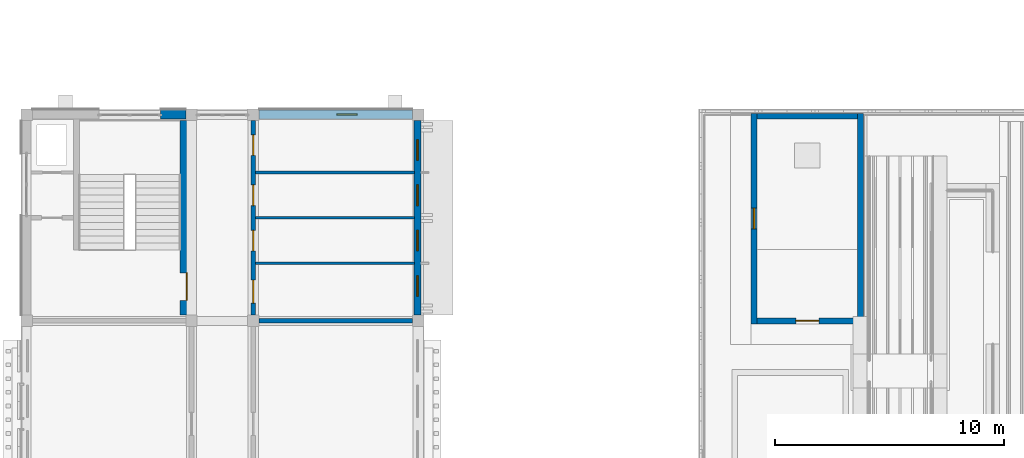
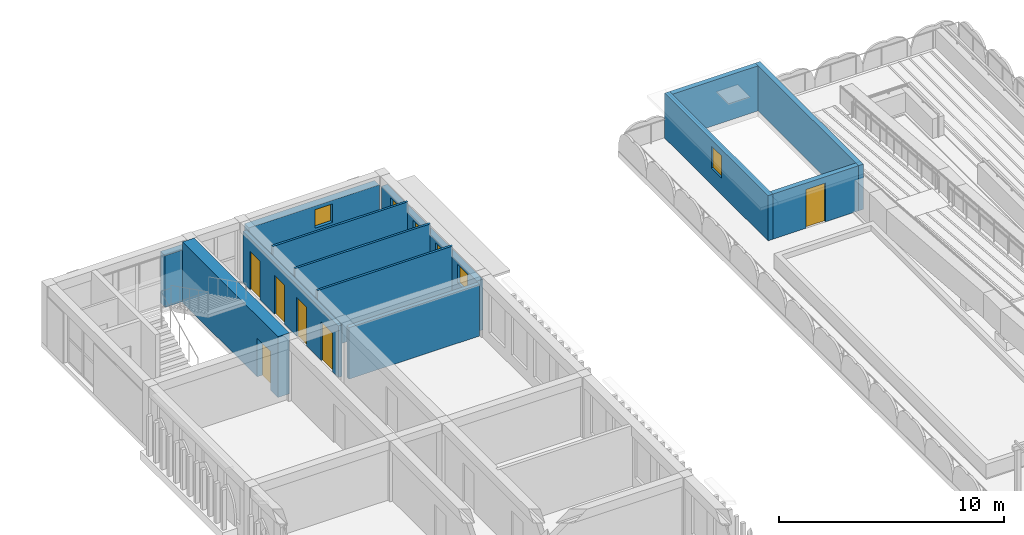
# One storey, part 45 of 70: 13 walls, 6 doors, 6 windows, 12 openings.
"""IFC4 building model written with IfcOpenShell, lengths in metres."""

from ifc_helpers import new_model, si_unit, direction, frame, frame_2d, origin, place, context, subcontext, project, spatial, rectangle, extrude, material, layer, layer_set, type_object, element, fill, save


model = new_model("IFC4")

# Units and contexts
model_context = context("Model", 3, precision=1e-05, world=origin(), true_north=direction((0.0, 1.0)))
body_context = subcontext(model_context, "Body", "Model", "MODEL_VIEW")
ifc_project = project(units=[si_unit("LENGTHUNIT", "METRE"), si_unit("AREAUNIT", "SQUARE_METRE"), si_unit("VOLUMEUNIT", "CUBIC_METRE"), si_unit("PLANEANGLEUNIT", "RADIAN"), si_unit("MASSUNIT", "GRAM", prefix="KILO")], contexts=[model_context])

# Site, building, storey
site_placement = place(None, origin())
site = spatial("IfcSite", under=ifc_project, at=site_placement, CompositionType="ELEMENT")
building_placement = place(site_placement, origin())
building = spatial("IfcBuilding", under=site, at=building_placement, Name="Elbe Cascade School", CompositionType="ELEMENT")
storey_placement = place(building_placement, frame((0.0, 0.0, 8.10009765625)))
storey = spatial("IfcBuildingStorey", under=building, at=storey_placement, Name="L02", CompositionType="ELEMENT", Elevation=8.10009765625)

# Wall, openings, doors
ifc_material_1 = material(Name="Masonry - lime-sand block, plastered", Category="masonry")
ifc_layer_1 = layer(ifc_material_1, 0.199951171875)
ifc_layer_set_1 = layer_set([ifc_layer_1], Name="Masonry - lime-sand block, plastered")
wall_type_1 = type_object("IfcWallType", Name="Bar corridor wall lime-sand block 200 EI 30", PredefinedType="PARTITIONING", material=ifc_layer_set_1)
wall_1_placement = place(storey_placement, frame((138.10009765625, 59.75, 0.0), z_axis=(0.0, 0.0, 1.0), x_axis=(0.0, -1.0, 0.0)))
wall_1 = element("IfcWall", 1, at=wall_1_placement, inside=storey, type_object=wall_type_1, Name="Bar corridor wall lime-sand block 200 EI 30", PredefinedType="PARTITIONING", context=body_context, shape_type="SweptSolid", body=[
    extrude(rectangle(XDim=8.5, YDim=0.199951171875, at=frame_2d((4.25, 0.0))), origin(), (0.0, 0.0, 1.0), 2.7998046875),
])
opening_1_placement = place(wall_1_placement, frame((6.96875, 0.0, 0.0)))
opening_1 = element("IfcOpeningElement", 2, at=opening_1_placement, cuts=wall_1, Name="Opening D2.073", PredefinedType="OPENING", context=body_context, shape_type="SweptSolid", body=[
    extrude(rectangle(XDim=1.0, YDim=2.10009765625, at=frame_2d((0.5, 1.050048828125))), frame((0.0, 0.10986328125, 0.0), z_axis=(0.0, -1.0, 0.0), x_axis=(1.0, 0.0, 0.0)), (0.0, 0.0, 1.0), 0.219970703125),
])
opening_2_placement = place(wall_1_placement, frame((4.7900390625, 0.0, 0.0)))
opening_2 = element("IfcOpeningElement", 3, at=opening_2_placement, cuts=wall_1, Name="Opening D2.075", PredefinedType="OPENING", context=body_context, shape_type="SweptSolid", body=[
    extrude(rectangle(XDim=0.89990234375, YDim=2.10009765625, at=frame_2d((0.449951171875, 1.050048828125))), frame((0.0, 0.10986328125, 0.0), z_axis=(0.0, -1.0, 0.0), x_axis=(1.0, 0.0, 0.0)), (0.0, 0.0, 1.0), 0.219970703125),
])
opening_3_placement = place(wall_1_placement, frame((2.81005859375, 0.0, 0.0)))
opening_3 = element("IfcOpeningElement", 4, at=opening_3_placement, cuts=wall_1, Name="Opening D2.077", PredefinedType="OPENING", context=body_context, shape_type="SweptSolid", body=[
    extrude(rectangle(XDim=0.89990234375, YDim=2.10009765625, at=frame_2d((0.449951171875, 1.050048828125))), frame((0.0, 0.10986328125, 0.0), z_axis=(0.0, -1.0, 0.0), x_axis=(1.0, 0.0, 0.0)), (0.0, 0.0, 1.0), 0.219970703125),
])
opening_4_placement = place(wall_1_placement, frame((0.62109375, 0.0, 0.0)))
opening_4 = element("IfcOpeningElement", 5, at=opening_4_placement, cuts=wall_1, Name="Opening D2.079", PredefinedType="OPENING", context=body_context, shape_type="SweptSolid", body=[
    extrude(rectangle(XDim=0.89990234375, YDim=2.10009765625, at=frame_2d((0.449951171875, 1.050048828125))), frame((0.0, 0.10986328125, 0.0), z_axis=(0.0, -1.0, 0.0), x_axis=(1.0, 0.0, 0.0)), (0.0, 0.0, 1.0), 0.219970703125),
])
ifc_material_2 = material(Name="Timber door leaf, fire-resisting, steel frame", Category="steel")
door_type_1 = type_object("IfcDoorType", Name="Bar door FD30 1000x2100", OperationType="NOTDEFINED", PredefinedType="DOOR", material=ifc_material_2)
door_1_placement = place(opening_1_placement, origin())
door_1 = element("IfcDoor", 6, at=door_1_placement, inside=storey, type_object=door_type_1, Name="Door C2.18", OperationType="SINGLE_SWING_LEFT", OverallHeight=2.10009765625, OverallWidth=1.0, PredefinedType="DOOR", context=body_context, shape_type="SweptSolid", body=[
    extrude(rectangle(XDim=1.0, YDim=2.10009765625, at=frame_2d((0.5, 1.050048828125))), frame((0.0, 0.02490234375, 0.0), z_axis=(0.0, -1.0, 0.0), x_axis=(1.0, 0.0, 0.0)), (0.0, 0.0, 1.0), 0.050048828125),
])
fill(opening_1, door_1)
ifc_material_3 = material(Name="Timber door leaf, fire-resisting, steel frame", Category="steel")
door_type_2 = type_object("IfcDoorType", Name="Bar door FD30 900x2100", OperationType="NOTDEFINED", PredefinedType="DOOR", material=ifc_material_3)
door_2_placement = place(opening_2_placement, origin())
door_2 = element("IfcDoor", 7, at=door_2_placement, inside=storey, type_object=door_type_2, Name="Door C2.17", OperationType="SINGLE_SWING_RIGHT", OverallHeight=2.10009765625, OverallWidth=0.89990234375, PredefinedType="DOOR", context=body_context, shape_type="SweptSolid", body=[
    extrude(rectangle(XDim=0.89990234375, YDim=2.10009765625, at=frame_2d((0.449951171875, 1.050048828125))), frame((0.0, 0.02490234375, 0.0), z_axis=(0.0, -1.0, 0.0), x_axis=(1.0, 0.0, 0.0)), (0.0, 0.0, 1.0), 0.050048828125),
])
fill(opening_2, door_2)
door_3_placement = place(opening_3_placement, origin())
door_3 = element("IfcDoor", 8, at=door_3_placement, inside=storey, type_object=door_type_2, Name="Door C2.16", OperationType="SINGLE_SWING_LEFT", OverallHeight=2.10009765625, OverallWidth=0.89990234375, PredefinedType="DOOR", context=body_context, shape_type="SweptSolid", body=[
    extrude(rectangle(XDim=0.89990234375, YDim=2.10009765625, at=frame_2d((0.449951171875, 1.050048828125))), frame((0.0, 0.02490234375, 0.0), z_axis=(0.0, -1.0, 0.0), x_axis=(1.0, 0.0, 0.0)), (0.0, 0.0, 1.0), 0.050048828125),
])
fill(opening_3, door_3)
door_4_placement = place(opening_4_placement, origin())
door_4 = element("IfcDoor", 9, at=door_4_placement, inside=storey, type_object=door_type_2, Name="Door C2.15", OperationType="SINGLE_SWING_RIGHT", OverallHeight=2.10009765625, OverallWidth=0.89990234375, PredefinedType="DOOR", context=body_context, shape_type="SweptSolid", body=[
    extrude(rectangle(XDim=0.89990234375, YDim=2.10009765625, at=frame_2d((0.449951171875, 1.050048828125))), frame((0.0, 0.02490234375, 0.0), z_axis=(0.0, -1.0, 0.0), x_axis=(1.0, 0.0, 0.0)), (0.0, 0.0, 1.0), 0.050048828125),
])
fill(opening_4, door_4)

# Walls
ifc_material_4 = material(Name="Masonry - lime-sand block, plastered", Category="masonry")
ifc_layer_2 = layer(ifc_material_4, 0.114990234375)
ifc_layer_set_2 = layer_set([ifc_layer_2], Name="Masonry - lime-sand block, plastered")
wall_type_2 = type_object("IfcWallType", Name="Bar light partition wall lime-sand block 115", PredefinedType="PARTITIONING", material=ifc_layer_set_2)
for number, where, z_axis, x_axis, name in (
    (10, (138.199951171875, 57.47998046875, 0.0), (0.0, 0.0, 1.0), (1.0, 0.0, 0.0), "Bar light partition wall lime-sand block 115"),
    (11, (138.199951171875, 55.5, 0.0), (0.0, 0.0, 1.0), (1.0, 0.0, 0.0), "Bar light partition wall lime-sand block 115"),
    (12, (138.199951171875, 53.52001953125, 0.0), (0.0, 0.0, 1.0), (1.0, 0.0, 0.0), "Bar light partition wall lime-sand block 115"),
):
    element("IfcWall", number, at=place(storey_placement, frame(where, z_axis=z_axis, x_axis=x_axis)), inside=storey, type_object=wall_type_2, Name=name, PredefinedType="PARTITIONING", context=body_context, shape_type="SweptSolid", body=[
        extrude(rectangle(XDim=6.949951171875, YDim=0.114990234375, at=frame_2d((3.47509765625, 0.0))), origin(), (0.0, 0.0, 1.0), 3.2998046875),
    ])
ifc_material_5 = material(Name="Masonry - lime-sand block, plastered", Category="masonry")
ifc_layer_3 = layer(ifc_material_5, 0.199951171875)
ifc_layer_set_3 = layer_set([ifc_layer_3], Name="Masonry - lime-sand block, plastered")
wall_type_3 = type_object("IfcWallType", Name="Bar partition wall lime-sand block 200", PredefinedType="PARTITIONING", material=ifc_layer_set_3)
wall_2_placement = place(storey_placement, frame((138.35009765625, 51.0, 0.0), z_axis=(0.0, 0.0, 1.0), x_axis=(1.0, 0.0, 0.0)))
element("IfcWall", 13, at=wall_2_placement, inside=storey, type_object=wall_type_3, Name="Bar partition wall lime-sand block 200", PredefinedType="PARTITIONING", context=body_context, shape_type="SweptSolid", body=[
    extrude(rectangle(XDim=6.699951171875, YDim=0.199951171875, at=frame_2d((3.35009765625, 0.0))), origin(), (0.0, 0.0, 1.0), 2.7998046875),
])

# Wall, opening, door
ifc_material_6 = material(Name="Concrete C30/37", Category="concrete")
ifc_layer_4 = layer(ifc_material_6, 0.60009765625)
ifc_layer_set_4 = layer_set([ifc_layer_4], Name="Concrete C30/37")
wall_type_4 = type_object("IfcWallType", Name="Bar stair core wall RC 600", PredefinedType="SOLIDWALL", material=ifc_layer_set_4)
wall_3_placement = place(storey_placement, frame((135.199951171875, 51.25, 0.0), z_axis=(0.0, 0.0, 1.0), x_axis=(0.0, 1.0, 0.0)))
wall_3 = element("IfcWall", 14, at=wall_3_placement, inside=storey, type_object=wall_type_4, Name="Bar stair core wall RC 600", PredefinedType="SOLIDWALL", context=body_context, shape_type="SweptSolid", body=[
    extrude(rectangle(XDim=8.5, YDim=0.60009765625, at=frame_2d((4.25, 0.0))), origin(), (0.0, 0.0, 1.0), 3.2998046875),
])
opening_5_placement = place(wall_3_placement, frame((0.64990234375, 0.0, 0.0)))
opening_5 = element("IfcOpeningElement", 15, at=opening_5_placement, cuts=wall_3, Name="Opening D2.074", PredefinedType="OPENING", context=body_context, shape_type="SweptSolid", body=[
    extrude(rectangle(XDim=1.199951171875, YDim=2.10009765625, at=frame_2d((0.60009765625, 1.050048828125))), frame((0.0, 0.31005859375, 0.0), z_axis=(0.0, -1.0, 0.0), x_axis=(1.0, 0.0, 0.0)), (0.0, 0.0, 1.0), 0.6201171875),
])
ifc_material_7 = material(Name="Timber door leaf, fire-resisting and smoke-tight, steel frame", Category="steel")
door_type_3 = type_object("IfcDoorType", Name="Bar door FD30S 1200x2100", OperationType="NOTDEFINED", PredefinedType="DOOR", material=ifc_material_7)
door_5_placement = place(opening_5_placement, origin())
door_5 = element("IfcDoor", 16, at=door_5_placement, inside=storey, type_object=door_type_3, Name="Door C2.12", OperationType="SINGLE_SWING_RIGHT", OverallHeight=2.10009765625, OverallWidth=1.199951171875, PredefinedType="DOOR", context=body_context, shape_type="SweptSolid", body=[
    extrude(rectangle(XDim=1.199951171875, YDim=2.10009765625, at=frame_2d((0.60009765625, 1.050048828125))), frame((0.0, 0.02490234375, 0.0), z_axis=(0.0, -1.0, 0.0), x_axis=(1.0, 0.0, 0.0)), (0.0, 0.0, 1.0), 0.050048828125),
])
fill(opening_5, door_5)

# Wall, openings, windows
ifc_material_8 = material(Name="Brick masonry - red clinker, cavity wall with render backing", Category="masonry")
ifc_layer_5 = layer(ifc_material_8, 0.300048828125)
ifc_layer_set_5 = layer_set([ifc_layer_5], Name="Brick masonry - red clinker, cavity wall with render backing")
wall_type_5 = type_object("IfcWallType", Name="Bars envelope External wall - clinker brick cavity, 300 upper floors", PredefinedType="STANDARD", material=ifc_layer_set_5)
wall_4_placement = place(storey_placement, frame((145.27001953125, 59.75, 0.0), z_axis=(0.0, 0.0, 1.0), x_axis=(0.0, -1.0, 0.0)))
wall_4 = element("IfcWall", 17, at=wall_4_placement, inside=storey, type_object=wall_type_5, Name="External wall W30 C.L02.e6", PredefinedType="STANDARD", context=body_context, shape_type="SweptSolid", body=[
    extrude(rectangle(XDim=8.5, YDim=0.300048828125, at=frame_2d((4.25, 0.0))), origin(), (0.0, 0.0, 1.0), 2.75),
])
opening_6_placement = place(wall_4_placement, frame((6.77001953125, 0.0, 1.60009765625)))
opening_6 = element("IfcOpeningElement", 18, at=opening_6_placement, cuts=wall_4, Name="Opening W2.114", PredefinedType="OPENING", context=body_context, shape_type="SweptSolid", body=[
    extrude(rectangle(XDim=0.89990234375, YDim=1.0, at=frame_2d((0.449951171875, 0.5))), frame((0.0, 0.159912109375, 0.0), z_axis=(0.0, -1.0, 0.0), x_axis=(1.0, 0.0, 0.0)), (0.0, 0.0, 1.0), 0.320068359375),
])
opening_7_placement = place(wall_4_placement, frame((4.7900390625, 0.0, 1.60009765625)))
opening_7 = element("IfcOpeningElement", 19, at=opening_7_placement, cuts=wall_4, Name="Opening W2.115", PredefinedType="OPENING", context=body_context, shape_type="SweptSolid", body=[
    extrude(rectangle(XDim=0.89990234375, YDim=1.0, at=frame_2d((0.449951171875, 0.5))), frame((0.0, 0.159912109375, 0.0), z_axis=(0.0, -1.0, 0.0), x_axis=(1.0, 0.0, 0.0)), (0.0, 0.0, 1.0), 0.320068359375),
])
opening_8_placement = place(wall_4_placement, frame((2.81005859375, 0.0, 1.60009765625)))
opening_8 = element("IfcOpeningElement", 20, at=opening_8_placement, cuts=wall_4, Name="Opening W2.116", PredefinedType="OPENING", context=body_context, shape_type="SweptSolid", body=[
    extrude(rectangle(XDim=0.89990234375, YDim=1.0, at=frame_2d((0.449951171875, 0.5))), frame((0.0, 0.159912109375, 0.0), z_axis=(0.0, -1.0, 0.0), x_axis=(1.0, 0.0, 0.0)), (0.0, 0.0, 1.0), 0.320068359375),
])
opening_9_placement = place(wall_4_placement, frame((0.830078125, 0.0, 1.60009765625)))
opening_9 = element("IfcOpeningElement", 21, at=opening_9_placement, cuts=wall_4, Name="Opening W2.117", PredefinedType="OPENING", context=body_context, shape_type="SweptSolid", body=[
    extrude(rectangle(XDim=0.89990234375, YDim=1.0, at=frame_2d((0.449951171875, 0.5))), frame((0.0, 0.159912109375, 0.0), z_axis=(0.0, -1.0, 0.0), x_axis=(1.0, 0.0, 0.0)), (0.0, 0.0, 1.0), 0.320068359375),
])
ifc_material_9 = material(Name="Aluminium frame with double glazing, bronze anodised", Category="aluminium")
window_type_1 = type_object("IfcWindowType", Name="Bars envelope Window 900 x 1000, WC and service room, high level, aluminium double glazed", PartitioningType="SINGLE_PANEL", PredefinedType="WINDOW", material=ifc_material_9)
window_1_placement = place(opening_6_placement, origin())
window_1 = element("IfcWindow", 22, at=window_1_placement, inside=storey, type_object=window_type_1, Name="Window WN4 C.L02.e6.1", OverallHeight=1.0, OverallWidth=0.89990234375, PartitioningType="SINGLE_PANEL", PredefinedType="WINDOW", context=body_context, shape_type="SweptSolid", body=[
    extrude(rectangle(XDim=0.89990234375, YDim=1.0, at=frame_2d((0.449951171875, 0.5))), frame((0.0, 0.030029296875, 0.0), z_axis=(0.0, -1.0, 0.0), x_axis=(1.0, 0.0, 0.0)), (0.0, 0.0, 1.0), 0.06005859375),
])
fill(opening_6, window_1)
window_2_placement = place(opening_7_placement, origin())
window_2 = element("IfcWindow", 23, at=window_2_placement, inside=storey, type_object=window_type_1, Name="Window WN4 C.L02.e6.2", OverallHeight=1.0, OverallWidth=0.89990234375, PartitioningType="SINGLE_PANEL", PredefinedType="WINDOW", context=body_context, shape_type="SweptSolid", body=[
    extrude(rectangle(XDim=0.89990234375, YDim=1.0, at=frame_2d((0.449951171875, 0.5))), frame((0.0, 0.030029296875, 0.0), z_axis=(0.0, -1.0, 0.0), x_axis=(1.0, 0.0, 0.0)), (0.0, 0.0, 1.0), 0.06005859375),
])
fill(opening_7, window_2)
window_3_placement = place(opening_8_placement, origin())
window_3 = element("IfcWindow", 24, at=window_3_placement, inside=storey, type_object=window_type_1, Name="Window WN4 C.L02.e6.3", OverallHeight=1.0, OverallWidth=0.89990234375, PartitioningType="SINGLE_PANEL", PredefinedType="WINDOW", context=body_context, shape_type="SweptSolid", body=[
    extrude(rectangle(XDim=0.89990234375, YDim=1.0, at=frame_2d((0.449951171875, 0.5))), frame((0.0, 0.030029296875, 0.0), z_axis=(0.0, -1.0, 0.0), x_axis=(1.0, 0.0, 0.0)), (0.0, 0.0, 1.0), 0.06005859375),
])
fill(opening_8, window_3)
window_4_placement = place(opening_9_placement, origin())
window_4 = element("IfcWindow", 25, at=window_4_placement, inside=storey, type_object=window_type_1, Name="Window WN4 C.L02.e6.4", OverallHeight=1.0, OverallWidth=0.89990234375, PartitioningType="SINGLE_PANEL", PredefinedType="WINDOW", context=body_context, shape_type="SweptSolid", body=[
    extrude(rectangle(XDim=0.89990234375, YDim=1.0, at=frame_2d((0.449951171875, 0.5))), frame((0.0, 0.030029296875, 0.0), z_axis=(0.0, -1.0, 0.0), x_axis=(1.0, 0.0, 0.0)), (0.0, 0.0, 1.0), 0.06005859375),
])
fill(opening_9, window_4)

# Wall
ifc_material_10 = material(Name="Brick masonry - red clinker, solid, sandstone-faced", Category="masonry")
ifc_layer_6 = layer(ifc_material_10, 0.39990234375)
ifc_layer_set_6 = layer_set([ifc_layer_6], Name="Brick masonry - red clinker, solid, sandstone-faced")
wall_type_6 = type_object("IfcWallType", Name="Bars envelope External wall - solid masonry core strip, sandstone faced, 400", PredefinedType="STANDARD", material=ifc_layer_set_6)
wall_5_placement = place(storey_placement, frame((134.050048828125, 60.02001953125, 0.0), z_axis=(0.0, 0.0, 1.0), x_axis=(1.0, 0.0, 0.0)))
element("IfcWall", 26, at=wall_5_placement, inside=storey, type_object=wall_type_6, Name="External wall W31 C.L02.n1b", PredefinedType="STANDARD", context=body_context, shape_type="SweptSolid", body=[
    extrude(rectangle(XDim=1.099853515625, YDim=0.39990234375, at=frame_2d((0.5498046875, 0.0))), origin(), (0.0, 0.0, 1.0), 2.7998046875),
])

# Wall, opening, window
wall_6_placement = place(storey_placement, frame((138.35009765625, 60.02001953125, 0.0), z_axis=(0.0, 0.0, 1.0), x_axis=(1.0, 0.0, 0.0)))
wall_6 = element("IfcWall", 27, at=wall_6_placement, inside=storey, type_object=wall_type_6, Name="External wall W31 C.L02.n3", PredefinedType="STANDARD", context=body_context, shape_type="SweptSolid", body=[
    extrude(rectangle(XDim=6.699951171875, YDim=0.39990234375, at=frame_2d((3.35009765625, 0.0))), origin(), (0.0, 0.0, 1.0), 2.7998046875),
])
opening_10_placement = place(wall_6_placement, frame((3.39990234375, 0.0, 1.60009765625)))
opening_10 = element("IfcOpeningElement", 28, at=opening_10_placement, cuts=wall_6, Name="Opening W2.118", PredefinedType="OPENING", context=body_context, shape_type="SweptSolid", body=[
    extrude(rectangle(XDim=0.89990234375, YDim=1.0, at=frame_2d((0.449951171875, 0.5))), frame((0.0, 0.2099609375, 0.0), z_axis=(0.0, -1.0, 0.0), x_axis=(1.0, 0.0, 0.0)), (0.0, 0.0, 1.0), 0.419921875),
])
window_5_placement = place(opening_10_placement, origin())
window_5 = element("IfcWindow", 29, at=window_5_placement, inside=storey, type_object=window_type_1, Name="Window WN4 C.L02.n3.1", OverallHeight=1.0, OverallWidth=0.89990234375, PartitioningType="SINGLE_PANEL", PredefinedType="WINDOW", context=body_context, shape_type="SweptSolid", body=[
    extrude(rectangle(XDim=0.89990234375, YDim=1.0, at=frame_2d((0.449951171875, 0.5))), frame((0.0, 0.030029296875, 0.0), z_axis=(0.0, -1.0, 0.0), x_axis=(1.0, 0.0, 0.0)), (0.0, 0.0, 1.0), 0.06005859375),
])
fill(opening_10, window_5)

ifc_material_11 = material(Name="Concrete C30/37", Category="concrete")
ifc_layer_7 = layer(ifc_material_11, 0.25)
ifc_layer_set_7 = layer_set([ifc_layer_7], Name="Concrete C30/37")
wall_type_7 = type_object("IfcWallType", Name="Head-house wall 250", PredefinedType="SOLIDWALL", material=ifc_layer_set_7)
wall_7_placement = place(storey_placement, frame((159.97509765625, 50.875, 0.0), z_axis=(0.0, 0.0, 1.0), x_axis=(0.0, 1.0, 0.0)))
wall_7 = element("IfcWall", 30, at=wall_7_placement, inside=storey, type_object=wall_type_7, Name="Head-house wall 250 W2", PredefinedType="SOLIDWALL", context=body_context, shape_type="SweptSolid", body=[
    extrude(rectangle(XDim=9.195068359375, YDim=0.25, at=frame_2d((4.59765625, 0.0))), origin(), (0.0, 0.0, 1.0), 2.449951171875),
])
opening_11_placement = place(wall_7_placement, frame((4.1474609375, 0.0, 0.89990234375)))
opening_11 = element("IfcOpeningElement", 31, at=opening_11_placement, cuts=wall_7, Name="Opening W2.122", PredefinedType="OPENING", context=body_context, shape_type="SweptSolid", body=[
    extrude(rectangle(XDim=0.89990234375, YDim=1.199951171875, at=frame_2d((0.449951171875, 0.60009765625))), frame((0.0, 0.135009765625, 0.0), z_axis=(0.0, -1.0, 0.0), x_axis=(1.0, 0.0, 0.0)), (0.0, 0.0, 1.0), 0.27001953125),
])
ifc_material_12 = material(Name="Aluminium frame with double glazing, bronze anodised", Category="aluminium")
window_type_2 = type_object("IfcWindowType", Name="Bars envelope Head-house window 900 x 1200, stair daylight, aluminium double glazed", PartitioningType="SINGLE_PANEL", PredefinedType="WINDOW", material=ifc_material_12)
window_6_placement = place(opening_11_placement, origin())
window_6 = element("IfcWindow", 32, at=window_6_placement, inside=storey, type_object=window_type_2, Name="Window WN10 D.L02.head-house north", OverallHeight=1.199951171875, OverallWidth=0.89990234375, PartitioningType="SINGLE_PANEL", PredefinedType="WINDOW", context=body_context, shape_type="SweptSolid", body=[
    extrude(rectangle(XDim=0.89990234375, YDim=1.199951171875, at=frame_2d((0.449951171875, 0.60009765625))), frame((0.0, 0.030029296875, 0.0), z_axis=(0.0, -1.0, 0.0), x_axis=(1.0, 0.0, 0.0)), (0.0, 0.0, 1.0), 0.06005859375),
])
fill(opening_11, window_6)

# Wall
wall_8_placement = place(storey_placement, frame((164.625, 50.875, 0.0), z_axis=(0.0, 0.0, 1.0), x_axis=(0.0, 1.0, 0.0)))
element("IfcWall", 33, at=wall_8_placement, inside=storey, type_object=wall_type_7, Name="Head-house wall 250 W2", PredefinedType="SOLIDWALL", context=body_context, shape_type="SweptSolid", body=[
    extrude(rectangle(XDim=9.195068359375, YDim=0.25, at=frame_2d((4.59765625, 0.0))), origin(), (0.0, 0.0, 1.0), 2.449951171875),
])

# Wall, opening, door
wall_9_placement = place(storey_placement, frame((164.5, 51.0, 0.0), z_axis=(0.0, 0.0, 1.0), x_axis=(-1.0, 0.0, 0.0)))
wall_9 = element("IfcWall", 34, at=wall_9_placement, inside=storey, type_object=wall_type_7, Name="Head-house wall 250 W2", PredefinedType="SOLIDWALL", context=body_context, shape_type="SweptSolid", body=[
    extrude(rectangle(XDim=4.39990234375, YDim=0.25, at=frame_2d((2.199951171875, 0.0))), origin(), (0.0, 0.0, 1.0), 2.449951171875),
])
opening_12_placement = place(wall_9_placement, frame((1.699951171875, 0.0, 0.0)))
opening_12 = element("IfcOpeningElement", 35, at=opening_12_placement, cuts=wall_9, Name="Opening D2.083", PredefinedType="OPENING", context=body_context, shape_type="SweptSolid", body=[
    extrude(rectangle(XDim=1.0, YDim=2.10009765625, at=frame_2d((0.5, 1.050048828125))), frame((0.0, 0.135009765625, 0.0), z_axis=(0.0, -1.0, 0.0), x_axis=(1.0, 0.0, 0.0)), (0.0, 0.0, 1.0), 0.27001953125),
])
ifc_material_13 = material(Name="Head-house door 1000x2100")
door_type_4 = type_object("IfcDoorType", Name="Head-house door 1000x2100", OperationType="SINGLE_SWING_RIGHT", PredefinedType="DOOR", material=ifc_material_13)
door_6_placement = place(opening_12_placement, origin())
door_6 = element("IfcDoor", 36, at=door_6_placement, inside=storey, type_object=door_type_4, Name="Head-house door 1000x2100 D2.083", OperationType="SINGLE_SWING_RIGHT", OverallHeight=2.10009765625, OverallWidth=1.0, PredefinedType="DOOR", context=body_context, shape_type="SweptSolid", body=[
    extrude(rectangle(XDim=1.0, YDim=2.10009765625, at=frame_2d((0.5, 1.050048828125))), frame((0.0, 0.02490234375, 0.0), z_axis=(0.0, -1.0, 0.0), x_axis=(1.0, 0.0, 0.0)), (0.0, 0.0, 1.0), 0.050048828125),
])
fill(opening_12, door_6)

# Wall
wall_10_placement = place(storey_placement, frame((160.10009765625, 59.945068359375, 0.0), z_axis=(0.0, 0.0, 1.0), x_axis=(1.0, 0.0, 0.0)))
element("IfcWall", 37, at=wall_10_placement, inside=storey, type_object=wall_type_7, Name="Head-house wall 250 W2", PredefinedType="SOLIDWALL", context=body_context, shape_type="SweptSolid", body=[
    extrude(rectangle(XDim=4.39990234375, YDim=0.25, at=frame_2d((2.199951171875, 0.0))), origin(), (0.0, 0.0, 1.0), 2.449951171875),
])

save(model, "model.ifc")
